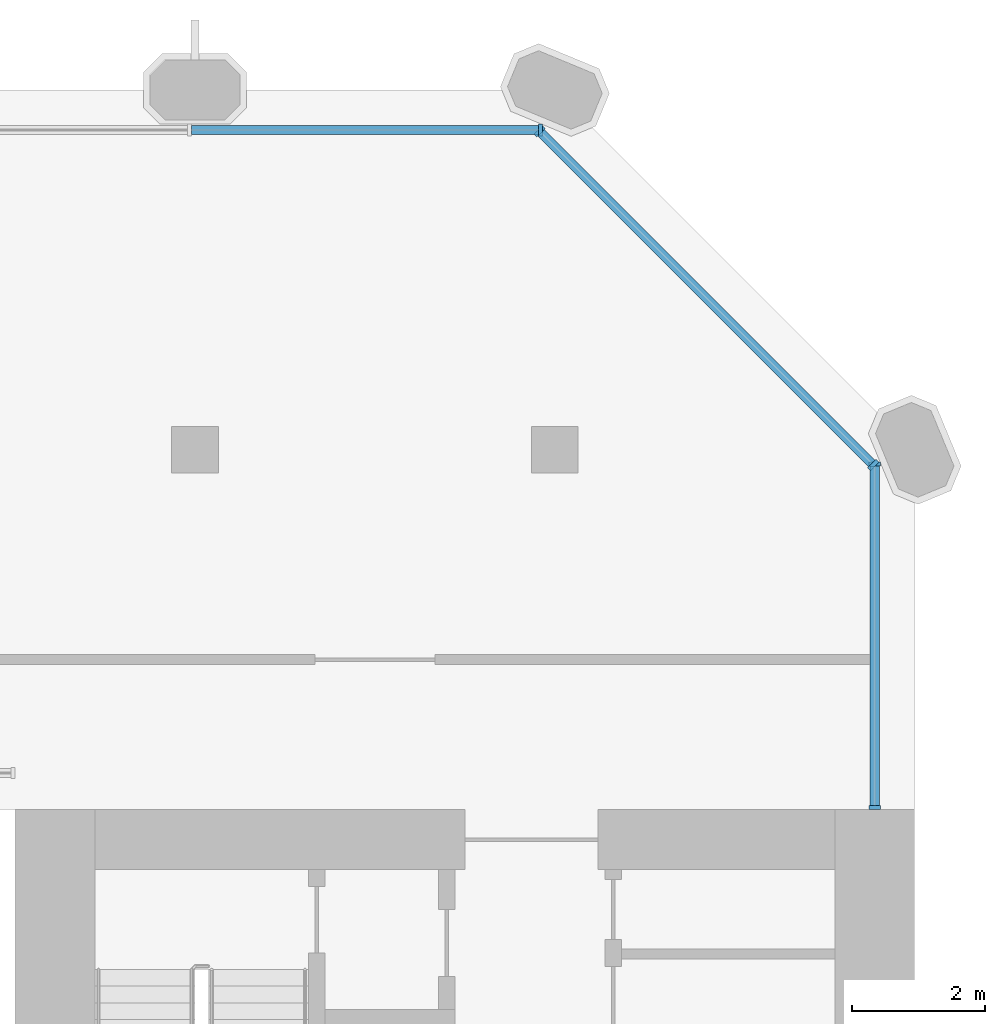
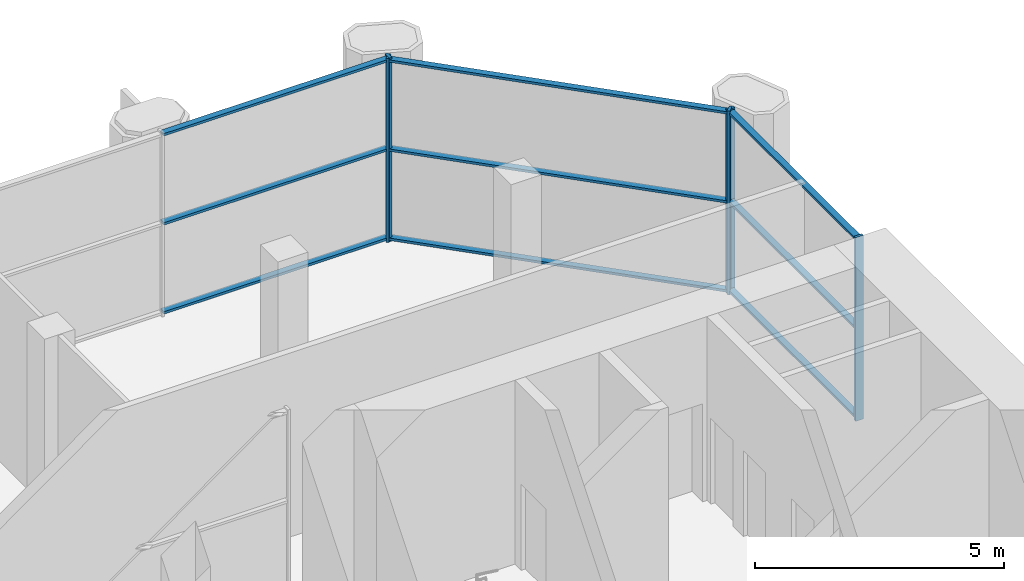
# One storey, part 7 of 14: 14 members, 3 elements without a shape of their own.
"""IFC4 building model written with IfcOpenShell, lengths in metres."""

import ifcopenshell
import ifcopenshell.guid

model = None  # the IFC model being written
_history = None  # IfcOwnerHistory: only IFC2X3 demands one
_inside = {}  # id of a spatial element -> (the spatial element, [elements in it])
_under = {}  # id of a project, library or spatial element -> (it, [spatial elements below it])
_declared = {}  # id of a project -> (the project, [libraries it declares])
_typed = {}  # id of a type object -> (the type object, [elements of that type])
_made_of = {}  # id of a material, layer set ... -> (it, [elements and type objects made of it])


def new_model(schema):
    """Start an empty IFC model of exactly this schema.

    Asked for "IFC4X3", IfcOpenShell would pick the latest addendum, in which some entities
    have other attributes; the version numbers below select the first issue.
    IFC2X3 requires an IfcOwnerHistory on every rooted entity: one is made here for all.
    """
    global model, _history
    if schema == "IFC4X3":
        model = ifcopenshell.file(schema_version=(4, 3, 0, 0))
    else:
        model = ifcopenshell.file(schema=schema)
    _inside.clear()
    _under.clear()
    _declared.clear()
    _typed.clear()
    _made_of.clear()
    _history = None
    if model.schema == "IFC2X3":
        org = make("IfcOrganization", Name="unknown")
        user = make(
            "IfcPersonAndOrganization",
            ThePerson=make("IfcPerson", FamilyName="unknown"),
            TheOrganization=org,
        )
        app = make(
            "IfcApplication",
            ApplicationDeveloper=org,
            Version="unknown",
            ApplicationFullName="unknown",
            ApplicationIdentifier="unknown",
        )
        _history = make(
            "IfcOwnerHistory",
            OwningUser=user,
            OwningApplication=app,
            ChangeAction="ADDED",
            CreationDate=0,
        )
    return model


def make(cls, **values):
    """One entity of the class cls with the attributes given. An attribute that is None is left unset."""
    return model.create_entity(
        cls, **{name: value for name, value in values.items() if value is not None}
    )


def rooted(cls, **values):
    """An entity with a GlobalId (a new one), such as an element, a storey or a relation."""
    return make(cls, GlobalId=ifcopenshell.guid.new(), OwnerHistory=_history, **values)


def si_unit(unit_type, name, prefix=None):
    """IfcSIUnit, for example si_unit("LENGTHUNIT", "METRE", prefix="MILLI")."""
    return make("IfcSIUnit", UnitType=unit_type, Prefix=prefix, Name=name)


def assignment(units):
    """IfcUnitAssignment: the units of a project."""
    return None if units is None else make("IfcUnitAssignment", Units=units)


def point(xyz):
    """IfcCartesianPoint."""
    return None if xyz is None else make("IfcCartesianPoint", Coordinates=xyz)


def direction(xyz):
    """IfcDirection."""
    return None if xyz is None else make("IfcDirection", DirectionRatios=xyz)


def frame(location, z_axis=None, x_axis=None):
    """IfcAxis2Placement3D, a coordinate frame: its origin and axes. An axis left out is left unset."""
    return make(
        "IfcAxis2Placement3D",
        Location=point(location),
        Axis=direction(z_axis),
        RefDirection=direction(x_axis),
    )


def frame_2d(location, x_axis=None):
    """IfcAxis2Placement2D, a coordinate frame in the plane: its origin and x axis."""
    return make(
        "IfcAxis2Placement2D", Location=point(location), RefDirection=direction(x_axis)
    )


def origin():
    """The frame at (0, 0, 0) with its axes left unset."""
    return frame((0.0, 0.0, 0.0))


def origin_2d():
    """The frame at (0, 0) in the plane with its x axis left unset."""
    return frame_2d((0.0, 0.0))


def place(relative_to, where):
    """IfcLocalPlacement: puts the frame where relative to a parent placement (None: the world)."""
    return make(
        "IfcLocalPlacement", PlacementRelTo=relative_to, RelativePlacement=where
    )


def context(
    kind, dimensions, precision=None, world=None, true_north=None, identifier=None
):
    """IfcGeometricRepresentationContext, for example the 3D "Model" context."""
    return make(
        "IfcGeometricRepresentationContext",
        ContextIdentifier=identifier,
        ContextType=kind,
        CoordinateSpaceDimension=dimensions,
        Precision=precision,
        WorldCoordinateSystem=world,
        TrueNorth=true_north,
    )


def subcontext(parent, identifier, kind, view, scale=None):
    """IfcGeometricRepresentationSubContext, for example "Body" below "Model"."""
    return make(
        "IfcGeometricRepresentationSubContext",
        ContextIdentifier=identifier,
        ContextType=kind,
        ParentContext=parent,
        TargetScale=scale,
        TargetView=view,
    )


def project(units=None, contexts=None):
    """IfcProject with its units and contexts."""
    return rooted(
        "IfcProject",
        Name="project",
        RepresentationContexts=contexts,
        UnitsInContext=assignment(units),
    )


def spatial(cls, under=None, at=None, **own):
    """A site, building, storey or space (cls), placed at a placement, below another one or the project."""
    s = rooted(cls, ObjectPlacement=at, **own)
    if under is not None:
        _under.setdefault(under.id(), (under, []))[1].append(s)
    return s


def profile(cls, at=None, kind="AREA", **sizes):
    """A parametric profile (cls). Its sizes go by their IFC names, for example OverallWidth=200.0."""
    return make(cls, ProfileType=kind, Position=at, **sizes)


def rectangle(**sizes):
    """IfcRectangleProfileDef."""
    return profile("IfcRectangleProfileDef", **sizes)


def extrude(swept, where, along, depth):
    """IfcExtrudedAreaSolid: the profile swept, set in the frame where, extruded along a direction by depth."""
    return make(
        "IfcExtrudedAreaSolid",
        SweptArea=swept,
        Position=where,
        ExtrudedDirection=direction(along),
        Depth=depth,
    )


def shape(context_of_items, identifier, shape_type, items):
    """IfcShapeRepresentation: the items that make up one representation, for example the "Body"."""
    return make(
        "IfcShapeRepresentation",
        ContextOfItems=context_of_items,
        RepresentationIdentifier=identifier,
        RepresentationType=shape_type,
        Items=items,
    )


def material(Name=None, Category=None):
    """IfcMaterial."""
    return make("IfcMaterial", Name=Name, Category=Category)


def material_profile(
    of_material, cross_section, Name=None, Category=None, Priority=None
):
    """IfcMaterialProfile: a cross section and its material."""
    return make(
        "IfcMaterialProfile",
        Name=Name,
        Material=of_material,
        Profile=cross_section,
        Priority=Priority,
        Category=Category,
    )


def profile_set(profiles, Name=None, composite=None):
    """IfcMaterialProfileSet."""
    return make(
        "IfcMaterialProfileSet",
        Name=Name,
        MaterialProfiles=profiles,
        CompositeProfile=composite,
    )


def made_of(thing, what):
    """Note that an element or type object is made of a material, layer set ...; save() writes the relation."""
    if what is not None:
        _made_of.setdefault(what.id(), (what, []))[1].append(thing)
    return thing


def type_object(cls, material=None, **own):
    """A type object (cls), such as IfcWallType, which elements share."""
    return made_of(rooted(cls, **own), material)


def element(
    cls,
    number,
    at=None,
    inside=None,
    cuts=None,
    type_object=None,
    material=None,
    context=None,
    identifier="Body",
    shape_type=None,
    held_by="IfcProductDefinitionShape",
    body=None,
    shapes=None,
    **own,
):
    """One element of the class cls, such as IfcWall. Its Tag is "e" and its number.

    at: its placement. inside: the storey or other place that contains it. cuts: it is an
    opening in that element (IfcRelVoidsElement). A single representation is given by context,
    identifier, shape_type and body (its items); several are given by shapes. held_by: the class
    of the entity that holds the representations. save() writes the other relations.
    """
    e = rooted(cls, Tag="e%d" % number, ObjectPlacement=at, **own)
    if body is not None:
        shapes = [shape(context, identifier, shape_type, body)]
    if shapes is not None:
        e.Representation = make(held_by, Representations=shapes)
    if inside is not None:
        _inside.setdefault(inside.id(), (inside, []))[1].append(e)
    if cuts is not None:
        rooted(
            "IfcRelVoidsElement", RelatingBuildingElement=cuts, RelatedOpeningElement=e
        )
    if type_object is not None:
        _typed.setdefault(type_object.id(), (type_object, []))[1].append(e)
    return made_of(e, material)


def aggregate(whole, parts):
    """IfcRelAggregates: a whole, such as a stair, and the parts it consists of."""
    return rooted("IfcRelAggregates", RelatingObject=whole, RelatedObjects=parts)


def save(model, path):
    """Write the relations noted so far, then the file.

    IfcRelAggregates (storeys below a building ...), IfcRelContainedInSpatialStructure (elements
    in a storey), IfcRelDefinesByType, IfcRelAssociatesMaterial and IfcRelDeclares: one each for
    every whole, place, type object, material and project.
    """
    for whole, parts in _under.values():
        aggregate(whole, parts)
    for where, things in _inside.values():
        rooted(
            "IfcRelContainedInSpatialStructure",
            RelatedElements=things,
            RelatingStructure=where,
        )
    for kind, things in _typed.values():
        rooted("IfcRelDefinesByType", RelatedObjects=things, RelatingType=kind)
    for what, things in _made_of.values():
        rooted("IfcRelAssociatesMaterial", RelatedObjects=things, RelatingMaterial=what)
    for by, libraries in _declared.values():
        rooted("IfcRelDeclares", RelatingContext=by, RelatedDefinitions=libraries)
    model.write(path)


model = new_model("IFC4")

# Units and contexts
model_context = context("Model", 3, precision=1e-05, world=origin(), true_north=direction((0.0, 1.0)))
body_context = subcontext(model_context, "Body", "Model", "MODEL_VIEW")
ifc_project = project(units=[si_unit("LENGTHUNIT", "METRE"), si_unit("AREAUNIT", "SQUARE_METRE"), si_unit("VOLUMEUNIT", "CUBIC_METRE"), si_unit("PLANEANGLEUNIT", "RADIAN"), si_unit("MASSUNIT", "GRAM", prefix="KILO")], contexts=[model_context])

# Site, building, storey
site_placement = place(None, origin())
site = spatial("IfcSite", under=ifc_project, at=site_placement, CompositionType="ELEMENT")
building_placement = place(site_placement, origin())
building = spatial("IfcBuilding", under=site, at=building_placement, Name="Tabaq Tower and Sports Hall", CompositionType="ELEMENT")
storey_placement = place(building_placement, frame((0.0, 0.0, 260.5)))
storey = spatial("IfcBuildingStorey", under=building, at=storey_placement, Name="L63", CompositionType="ELEMENT", Elevation=260.5)

# Curtain wall, members
ifc_material_1 = material(Name="Aluminium alloy 6063-T6 framed glazing", Category="aluminium")
curtain_wall_type = type_object("IfcCurtainWallType", Name="CW3 curtain wall", PredefinedType="USERDEFINED", material=ifc_material_1)
curtain_wall_1_placement = place(storey_placement, origin())
curtain_wall_1 = element("IfcCurtainWall", 1, at=curtain_wall_1_placement, inside=storey, type_object=curtain_wall_type, Name="Garden Floor Wall L63 E", ObjectType="GARDEN FLOOR WALL", PredefinedType="USERDEFINED")
ifc_material_2 = material(Name="Aluminium alloy 6063-T6", Category="aluminium")
ifc_material_profile_1 = material_profile(ifc_material_2, rectangle(XDim=0.179931640625, YDim=0.06005859375, at=origin_2d()), Name="MULLION 180x60")
ifc_profile_set_1 = profile_set([ifc_material_profile_1], Name="Aluminium alloy 6063-T6")
member_type_1 = type_object("IfcMemberType", Name="CW3 mullion 180x60", PredefinedType="MULLION", material=ifc_profile_set_1)
member_1_placement = place(storey_placement, frame((42.60009765625, 32.429931640625, 0.0), z_axis=(0.0, 0.0, 1.0), x_axis=(-1.0, 0.0, 0.0)))
member_1 = element("IfcMember", 2, at=member_1_placement, type_object=member_type_1, Name="CW3 mullion 1", PredefinedType="MULLION", context=body_context, shape_type="SweptSolid", body=[
    extrude(rectangle(XDim=0.179931640625, YDim=0.06005859375, at=origin_2d()), origin(), (0.0, 0.0, 1.0), 4.5),
])
member_2_placement = place(storey_placement, frame((42.60009765625, 37.58349609375, 0.0), z_axis=(0.0, 0.0, 1.0), x_axis=(-1.0, 0.0, 0.0)))
member_2 = element("IfcMember", 3, at=member_2_placement, type_object=member_type_1, Name="CW3 mullion 2", PredefinedType="MULLION", context=body_context, shape_type="SweptSolid", body=[
    extrude(rectangle(XDim=0.179931640625, YDim=0.06005859375, at=origin_2d()), origin(), (0.0, 0.0, 1.0), 4.5),
])

curtain_wall_2_placement = place(storey_placement, origin())
curtain_wall_2 = element("IfcCurtainWall", 4, at=curtain_wall_2_placement, inside=storey, type_object=curtain_wall_type, Name="Garden Floor Wall L63 NE", ObjectType="GARDEN FLOOR WALL", PredefinedType="USERDEFINED")
member_3_placement = place(storey_placement, frame((42.578857421875, 37.57275390625, 0.0), z_axis=(0.0, 0.0, 1.0), x_axis=(-0.707106781187, -0.707106781187, 0.0)))
member_3 = element("IfcMember", 5, at=member_3_placement, type_object=member_type_1, Name="CW3 mullion 1", PredefinedType="MULLION", context=body_context, shape_type="SweptSolid", body=[
    extrude(rectangle(XDim=0.179931640625, YDim=0.06005859375, at=origin_2d()), origin(), (0.0, 0.0, 1.0), 4.5),
])
member_4_placement = place(storey_placement, frame((37.57275390625, 42.578857421875, 0.0), z_axis=(0.0, 0.0, 1.0), x_axis=(-0.707106781187, -0.707106781187, 0.0)))
member_4 = element("IfcMember", 6, at=member_4_placement, type_object=member_type_1, Name="CW3 mullion 2", PredefinedType="MULLION", context=body_context, shape_type="SweptSolid", body=[
    extrude(rectangle(XDim=0.179931640625, YDim=0.06005859375, at=origin_2d()), origin(), (0.0, 0.0, 1.0), 4.5),
])

# Curtain wall, member
curtain_wall_3_placement = place(storey_placement, origin())
curtain_wall_3 = element("IfcCurtainWall", 7, at=curtain_wall_3_placement, inside=storey, type_object=curtain_wall_type, Name="Garden Floor Wall L63 N", ObjectType="GARDEN FLOOR WALL", PredefinedType="USERDEFINED")
member_5_placement = place(storey_placement, frame((37.58349609375, 42.60009765625, 0.0), z_axis=(0.0, 0.0, 1.0), x_axis=(0.0, -1.0, 0.0)))
member_5 = element("IfcMember", 8, at=member_5_placement, type_object=member_type_1, Name="CW3 mullion 1", PredefinedType="MULLION", context=body_context, shape_type="SweptSolid", body=[
    extrude(rectangle(XDim=0.179931640625, YDim=0.06005859375, at=origin_2d()), origin(), (0.0, 0.0, 1.0), 4.5),
])

# Member
ifc_material_3 = material(Name="Aluminium alloy 6063-T6", Category="aluminium")
ifc_material_profile_2 = material_profile(ifc_material_3, rectangle(XDim=0.139892578125, YDim=0.06005859375, at=origin_2d()), Name="TRANSOM 140x60")
ifc_profile_set_2 = profile_set([ifc_material_profile_2], Name="Aluminium alloy 6063-T6")
member_type_2 = type_object("IfcMemberType", Name="CW3 transom 140x60", PredefinedType="USERDEFINED", material=ifc_profile_set_2)
member_6_placement = place(storey_placement, frame((42.60009765625, 32.4599609375, 0.070068359375), z_axis=(0.0, 1.0, 0.0), x_axis=(-1.0, 0.0, 0.0)))
member_6 = element("IfcMember", 9, at=member_6_placement, type_object=member_type_2, Name="CW3 transom 1.1", ObjectType="TRANSOM", PredefinedType="USERDEFINED", context=body_context, shape_type="SweptSolid", body=[
    extrude(rectangle(XDim=0.139892578125, YDim=0.06005859375, at=origin_2d()), origin(), (0.0, 0.0, 1.0), 5.09375),
])

member_7_placement = place(storey_placement, frame((42.60009765625, 32.4599609375, 2.25), z_axis=(0.0, 1.0, 0.0), x_axis=(-1.0, 0.0, 0.0)))
member_7 = element("IfcMember", 10, at=member_7_placement, type_object=member_type_2, Name="CW3 transom 1.2", ObjectType="TRANSOM", PredefinedType="USERDEFINED", context=body_context, shape_type="SweptSolid", body=[
    extrude(rectangle(XDim=0.139892578125, YDim=0.06005859375, at=origin_2d()), origin(), (0.0, 0.0, 1.0), 5.09375),
])

member_8_placement = place(storey_placement, frame((42.60009765625, 32.4599609375, 4.429931640625), z_axis=(0.0, 1.0, 0.0), x_axis=(-1.0, 0.0, 0.0)))
member_8 = element("IfcMember", 11, at=member_8_placement, type_object=member_type_2, Name="CW3 transom 1.3", ObjectType="TRANSOM", PredefinedType="USERDEFINED", context=body_context, shape_type="SweptSolid", body=[
    extrude(rectangle(XDim=0.139892578125, YDim=0.06005859375, at=origin_2d()), origin(), (0.0, 0.0, 1.0), 5.09375),
])

aggregate(curtain_wall_1, [member_1, member_2, member_6, member_7, member_8])

member_9_placement = place(storey_placement, frame((42.5576171875, 37.593994140625, 0.070068359375), z_axis=(-0.707106781187, 0.707106781187, 0.0), x_axis=(-0.707106781187, -0.707106781187, 0.0)))
member_9 = element("IfcMember", 12, at=member_9_placement, type_object=member_type_2, Name="CW3 transom 1.1", ObjectType="TRANSOM", PredefinedType="USERDEFINED", context=body_context, shape_type="SweptSolid", body=[
    extrude(rectangle(XDim=0.139892578125, YDim=0.06005859375, at=origin_2d()), origin(), (0.0, 0.0, 1.0), 7.01953125),
])

member_10_placement = place(storey_placement, frame((42.5576171875, 37.593994140625, 2.25), z_axis=(-0.707106781187, 0.707106781187, 0.0), x_axis=(-0.707106781187, -0.707106781187, 0.0)))
member_10 = element("IfcMember", 13, at=member_10_placement, type_object=member_type_2, Name="CW3 transom 1.2", ObjectType="TRANSOM", PredefinedType="USERDEFINED", context=body_context, shape_type="SweptSolid", body=[
    extrude(rectangle(XDim=0.139892578125, YDim=0.06005859375, at=origin_2d()), origin(), (0.0, 0.0, 1.0), 7.01953125),
])

member_11_placement = place(storey_placement, frame((42.5576171875, 37.593994140625, 4.429931640625), z_axis=(-0.707106781187, 0.707106781187, 0.0), x_axis=(-0.707106781187, -0.707106781187, 0.0)))
member_11 = element("IfcMember", 14, at=member_11_placement, type_object=member_type_2, Name="CW3 transom 1.3", ObjectType="TRANSOM", PredefinedType="USERDEFINED", context=body_context, shape_type="SweptSolid", body=[
    extrude(rectangle(XDim=0.139892578125, YDim=0.06005859375, at=origin_2d()), origin(), (0.0, 0.0, 1.0), 7.01953125),
])

aggregate(curtain_wall_2, [member_3, member_4, member_9, member_10, member_11])

member_12_placement = place(storey_placement, frame((37.5537109375, 42.60009765625, 0.070068359375), z_axis=(-1.0, 0.0, 0.0), x_axis=(0.0, -1.0, 0.0)))
member_12 = element("IfcMember", 15, at=member_12_placement, type_object=member_type_2, Name="CW3 transom 1.1", ObjectType="TRANSOM", PredefinedType="USERDEFINED", context=body_context, shape_type="SweptSolid", body=[
    extrude(rectangle(XDim=0.139892578125, YDim=0.06005859375, at=origin_2d()), origin(), (0.0, 0.0, 1.0), 5.2041015625),
])

member_13_placement = place(storey_placement, frame((37.5537109375, 42.60009765625, 2.25), z_axis=(-1.0, 0.0, 0.0), x_axis=(0.0, -1.0, 0.0)))
member_13 = element("IfcMember", 16, at=member_13_placement, type_object=member_type_2, Name="CW3 transom 1.2", ObjectType="TRANSOM", PredefinedType="USERDEFINED", context=body_context, shape_type="SweptSolid", body=[
    extrude(rectangle(XDim=0.139892578125, YDim=0.06005859375, at=origin_2d()), origin(), (0.0, 0.0, 1.0), 5.2041015625),
])

member_14_placement = place(storey_placement, frame((37.5537109375, 42.60009765625, 4.429931640625), z_axis=(-1.0, 0.0, 0.0), x_axis=(0.0, -1.0, 0.0)))
member_14 = element("IfcMember", 17, at=member_14_placement, type_object=member_type_2, Name="CW3 transom 1.3", ObjectType="TRANSOM", PredefinedType="USERDEFINED", context=body_context, shape_type="SweptSolid", body=[
    extrude(rectangle(XDim=0.139892578125, YDim=0.06005859375, at=origin_2d()), origin(), (0.0, 0.0, 1.0), 5.2041015625),
])

aggregate(curtain_wall_3, [member_5, member_12, member_13, member_14])

save(model, "model.ifc")
